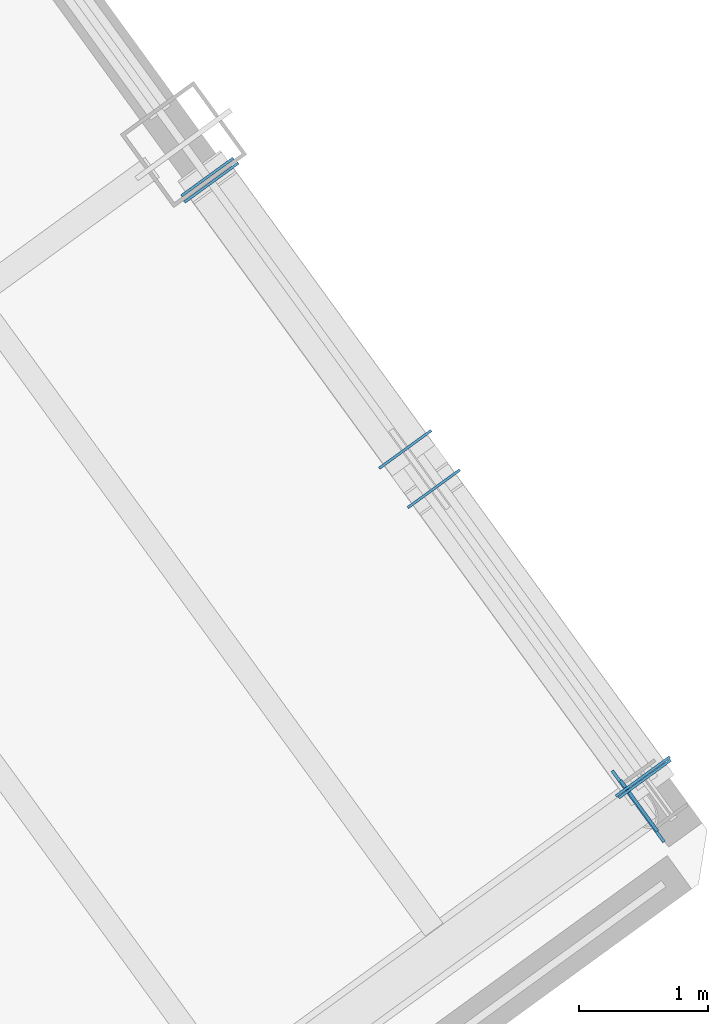
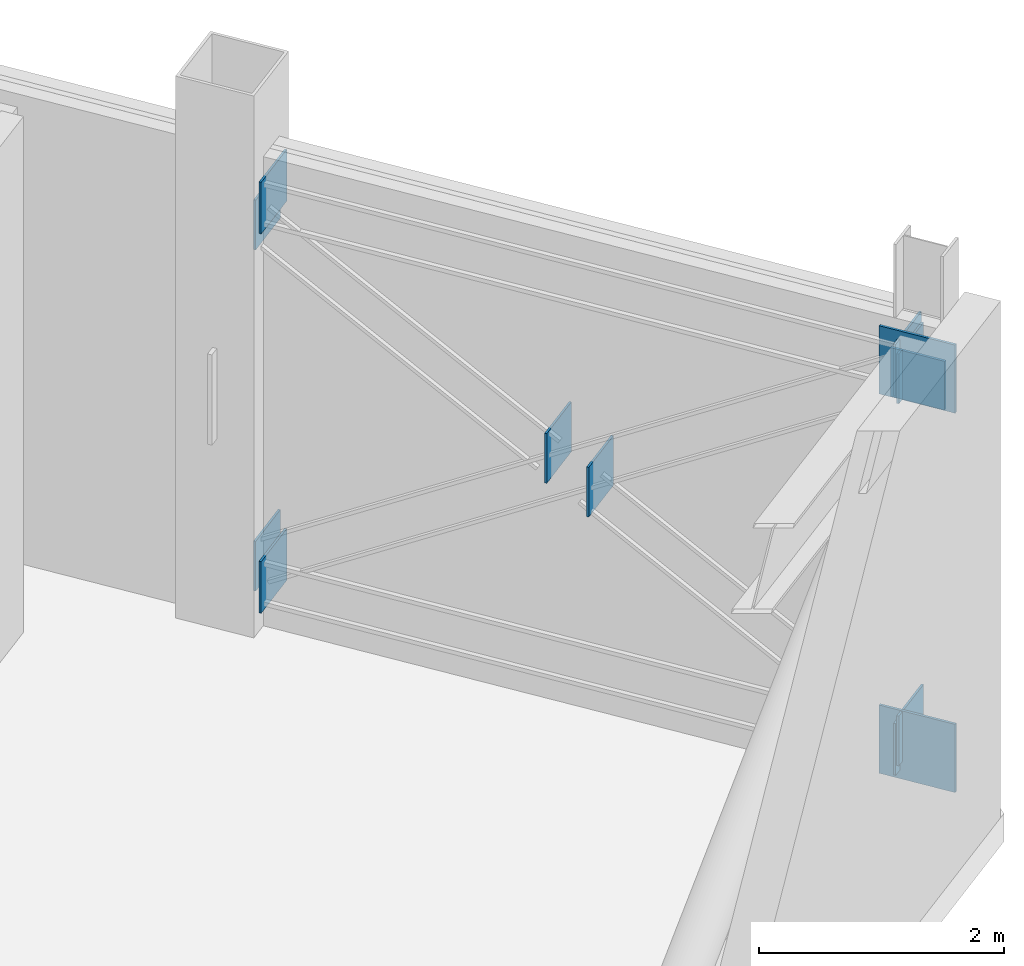
# One storey, part 20 of 32: 13 plates.
"""IFC4 building model written with IfcOpenShell, lengths in metres."""

from ifc_helpers import new_model, si_unit, direction, frame, origin, origin_2d, place, context, subcontext, project, spatial, rectangle, extrude, source, transform, mapped, material, layer, layer_set, type_object, element, save


model = new_model("IFC4")

# Units and contexts
model_context = context("Model", 3, precision=1e-05, world=origin(), true_north=direction((0.0, 1.0)))
body_context = subcontext(model_context, "Body", "Model", "MODEL_VIEW")
ifc_project = project(units=[si_unit("LENGTHUNIT", "METRE"), si_unit("AREAUNIT", "SQUARE_METRE"), si_unit("VOLUMEUNIT", "CUBIC_METRE"), si_unit("PLANEANGLEUNIT", "RADIAN"), si_unit("MASSUNIT", "GRAM", prefix="KILO")], contexts=[model_context])

# Site, building, storey
site_placement = place(None, origin())
site = spatial("IfcSite", under=ifc_project, at=site_placement, CompositionType="ELEMENT")
building_placement = place(site_placement, origin())
building = spatial("IfcBuilding", under=site, at=building_placement, Name="Tlacorven Tower", CompositionType="ELEMENT")
storey_placement = place(building_placement, frame((0.0, 0.0, 245.699951171875)))
storey = spatial("IfcBuildingStorey", under=building, at=storey_placement, Name="L62", CompositionType="ELEMENT", Elevation=245.699951171875)

# Plates
ifc_material = material(Name="Steel S460M", Category="steel")
ifc_layer_1 = layer(ifc_material, 0.02001953125)
ifc_layer_set_1 = layer_set([ifc_layer_1], Name="Steel S460M")
plate_type_1 = type_object("IfcPlateType", Name="PL-CAP-END2", PredefinedType="USERDEFINED", material=ifc_layer_set_1)
shared_shape_1 = source(origin(), body_context, "Body", "SweptSolid", [
    extrude(rectangle(XDim=0.02001953125, YDim=0.514892578125, at=origin_2d()), origin(), (0.0, 0.0, 1.0), 0.514892578125),
])
for number, where, z_axis, x_axis, name in (
    (1, (67.482177734375, 23.058349609375, 0.1923828125), (0.0, 0.0, 1.0), (0.587785238398, -0.80901700447, 0.0), "L62 hollow end cap plate OUT-L62-E2-B 1"),
    (2, (70.81494140625, 18.47119140625, 0.1923828125), (0.0, 0.0, 1.0), (0.587785238398, -0.80901700447, 0.0), "L62 hollow end cap plate OUT-L62-E2-B 2"),
    (3, (67.482177734375, 23.058349609375, 3.97265625), (0.0, 0.0, 1.0), (0.587785238398, -0.80901700447, 0.0), "L62 hollow end cap plate OUT-L62-E2-T 1"),
    (4, (70.81494140625, 18.47119140625, 3.97265625), (0.0, 0.0, 1.0), (0.587785238398, -0.80901700447, 0.0), "L62 hollow end cap plate OUT-L62-E2-T 2"),
):
    element("IfcPlate", number, at=place(storey_placement, frame(where, z_axis=z_axis, x_axis=x_axis)), inside=storey, type_object=plate_type_1, Name=name, ObjectType="END PLATE", PredefinedType="USERDEFINED", context=body_context, shape_type="MappedRepresentation", body=[
        mapped(shared_shape_1, transform((0.0, 0.0, 0.0), scale=1.0)),
    ])
shared_shape_2 = source(origin(), body_context, "Body", "SweptSolid", [
    extrude(rectangle(XDim=0.02001953125, YDim=0.49609375, at=origin_2d()), origin(), (0.0, 0.0, 1.0), 0.49609375),
])
for number, where, z_axis, x_axis, name in (
    (5, (67.450927734375, 23.101318359375, 0.39208984375), (0.0, 0.0, 1.0), (0.58778529485, -0.809016963455, 0.0), "L62 hollow end cap plate OUT-L62-E2-D1 1"),
    (6, (70.8291015625, 18.45166015625, 3.89599609375), (0.0, 0.0, 1.0), (0.58778529485, -0.809016963455, 0.0), "L62 hollow end cap plate OUT-L62-E2-D1 2"),
    (7, (67.450927734375, 23.101318359375, 3.7919921875), (0.0, 0.0, 1.0), (0.587785540016, -0.809016785332, 0.0), "L62 hollow end cap plate OUT-L62-E2-D2A 1"),
    (8, (68.9794921875, 20.99755859375, 2.20654296875), (0.0, 0.0, 1.0), (0.587785540016, -0.809016785332, 0.0), "L62 hollow end cap plate OUT-L62-E2-D2A 2"),
    (9, (69.2001953125, 20.693603515625, 1.9775390625), (0.0, 0.0, 1.0), (0.587784828862, -0.809017302015, 0.0), "L62 hollow end cap plate OUT-L62-E2-D2B 1"),
    (10, (70.8291015625, 18.45166015625, 0.287841796875), (0.0, 0.0, 1.0), (0.587784828862, -0.809017302015, 0.0), "L62 hollow end cap plate OUT-L62-E2-D2B 2"),
):
    element("IfcPlate", number, at=place(storey_placement, frame(where, z_axis=z_axis, x_axis=x_axis)), inside=storey, type_object=plate_type_1, Name=name, ObjectType="END PLATE", PredefinedType="USERDEFINED", context=body_context, shape_type="MappedRepresentation", body=[
        mapped(shared_shape_2, transform((0.0, 0.0, 0.0), scale=1.0)),
    ])
ifc_layer_2 = layer(ifc_material, 0.02392578125)
ifc_layer_set_2 = layer_set([ifc_layer_2], Name="Steel S460M")
plate_type_2 = type_object("IfcPlateType", Name="PL-CAP-END1", PredefinedType="USERDEFINED", material=ifc_layer_set_2)
shared_shape_3 = source(origin(), body_context, "Body", "SweptSolid", [
    extrude(rectangle(XDim=0.02392578125, YDim=0.679931640625, at=origin_2d()), origin(), (0.0, 0.0, 1.0), 0.679931640625),
])
for number, where, z_axis, x_axis, name in (
    (11, (70.778564453125, 18.24072265625, 0.10986328125), (0.0, 0.0, 1.0), (0.80901700447, 0.587785238398, 0.0), "L62 hollow end cap plate BLT-L62-E1-B 2"),
    (12, (70.778564453125, 18.24072265625, 3.89013671875), (0.0, 0.0, 1.0), (0.80901700447, 0.587785238398, 0.0), "L62 hollow end cap plate BLT-L62-E1-T 2"),
):
    element("IfcPlate", number, at=place(storey_placement, frame(where, z_axis=z_axis, x_axis=x_axis)), inside=storey, type_object=plate_type_2, Name=name, ObjectType="END PLATE", PredefinedType="USERDEFINED", context=body_context, shape_type="MappedRepresentation", body=[
        mapped(shared_shape_3, transform((0.0, 0.0, 0.0), scale=1.0)),
    ])
shared_shape_4 = source(origin(), body_context, "Body", "SweptSolid", [
    extrude(rectangle(XDim=0.02392578125, YDim=0.486328125, at=origin_2d()), origin(), (0.0, 0.0, 1.0), 0.486328125),
])
plate_placement = place(storey_placement, frame((70.785400390625, 18.24560546875, 3.88818359375), z_axis=(0.0, 0.0, 1.0), x_axis=(0.809016912294, 0.587785365267, 0.0)))
element("IfcPlate", 13, at=plate_placement, inside=storey, type_object=plate_type_2, Name="L62 hollow end cap plate BLT-L62-E1-D1 2", ObjectType="END PLATE", PredefinedType="USERDEFINED", context=body_context, shape_type="MappedRepresentation", body=[
    mapped(shared_shape_4, transform((0.0, 0.0, 0.0), scale=1.0)),
])

save(model, "model.ifc")
